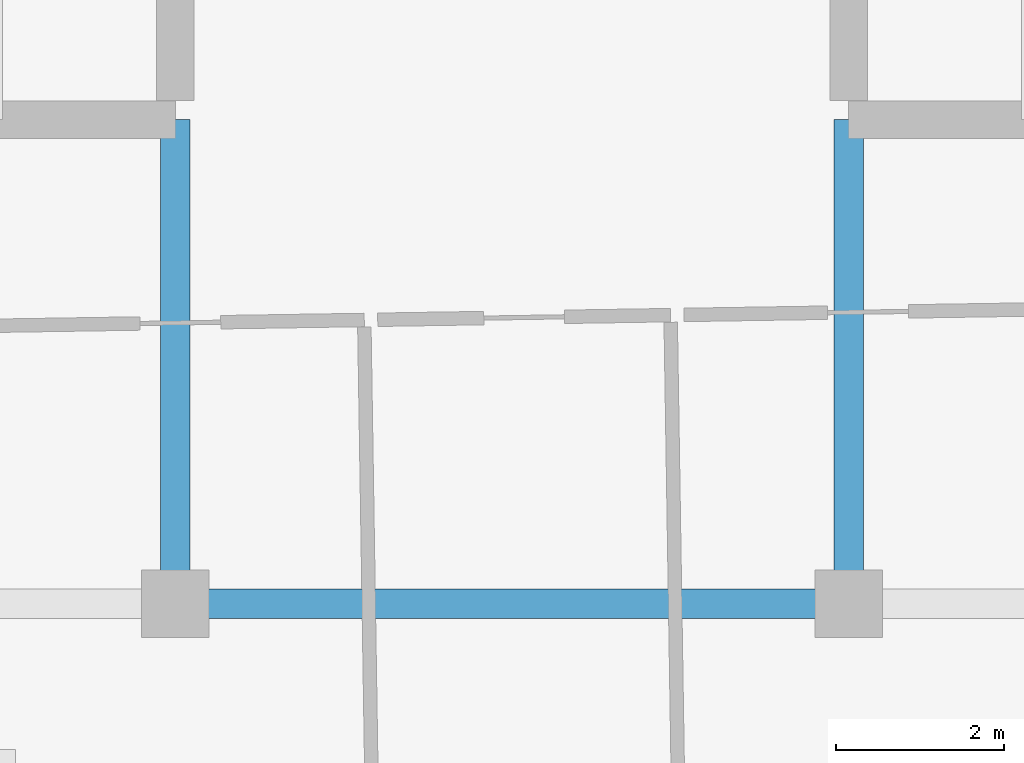
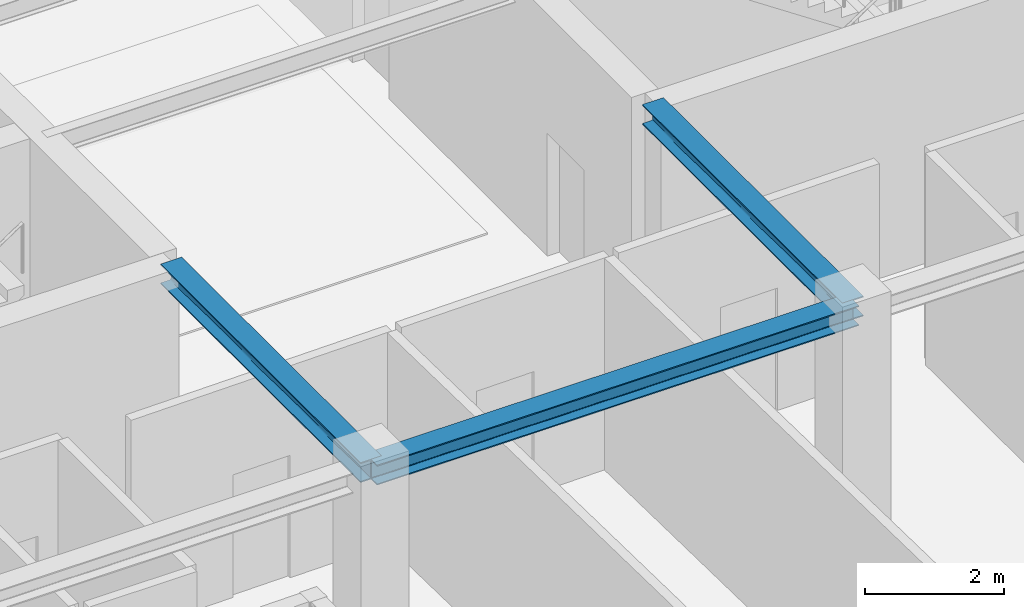
# One storey, part 3 of 18: 3 beams.
"""IFC4 building model written with IfcOpenShell, lengths in metres."""

from ifc_helpers import new_model, si_unit, direction, frame, origin, origin_2d, place, context, subcontext, project, spatial, i_section, extrude, material, material_profile, profile_set, type_object, element, save


model = new_model("IFC4")

# Units and contexts
model_context = context("Model", 3, precision=1e-05, world=origin(), true_north=direction((0.0, 1.0)))
body_context = subcontext(model_context, "Body", "Model", "MODEL_VIEW")
ifc_project = project(units=[si_unit("LENGTHUNIT", "METRE"), si_unit("AREAUNIT", "SQUARE_METRE"), si_unit("VOLUMEUNIT", "CUBIC_METRE"), si_unit("PLANEANGLEUNIT", "RADIAN"), si_unit("MASSUNIT", "GRAM", prefix="KILO")], contexts=[model_context])

# Site, building, storey
site_placement = place(None, origin())
site = spatial("IfcSite", under=ifc_project, at=site_placement, CompositionType="ELEMENT")
building_placement = place(site_placement, origin())
building = spatial("IfcBuilding", under=site, at=building_placement, Name="Qingluan Cross Belvedere", CompositionType="ELEMENT")
storey_placement = place(building_placement, frame((0.0, 0.0, 303.89990234375)))
storey = spatial("IfcBuildingStorey", under=building, at=storey_placement, Name="L75", CompositionType="ELEMENT", Elevation=303.89990234375)

# Beams
ifc_material = material(Name="Steel Q420GJB", Category="steel")
ifc_material_profile = material_profile(ifc_material, i_section(OverallWidth=0.35009765625, OverallDepth=0.35009765625, WebThickness=0.011962890625, FlangeThickness=0.01904296875, FilletRadius=0.02001953125, at=origin_2d()), Name="HW350x350x12x19")
ifc_profile_set = profile_set([ifc_material_profile], Name="Steel Q420GJB")
beam_type = type_object("IfcBeamType", Name="Steel_Girder_HW350x350x12x19", PredefinedType="USERDEFINED", material=ifc_profile_set)
beam_placement = place(storey_placement, frame((-4.0, -12.60009765625, 4.0751953125), z_axis=(1.0, 0.0, 0.0), x_axis=(0.0, 1.0, 0.0)))
element("IfcBeam", 1, at=beam_placement, inside=storey, type_object=beam_type, Name="Hub girder L75-HG-S2", ObjectType="GIRDER", PredefinedType="USERDEFINED", context=body_context, shape_type="SweptSolid", body=[
    extrude(i_section(OverallWidth=0.35009765625, OverallDepth=0.35009765625, WebThickness=0.011962890625, FlangeThickness=0.01904296875, FilletRadius=0.02001953125, at=origin_2d()), origin(), (0.0, 0.0, 1.0), 8.0),
])
for number, where, z_axis, x_axis, name in (
    (2, (-4.0, -12.60009765625, 4.0751953125), (0.0, 1.0, 0.0), (-1.0, 0.0, 0.0), "Hub girder L75-HG-CW"),
    (3, (4.0, -12.60009765625, 4.0751953125), (0.0, 1.0, 0.0), (-1.0, 0.0, 0.0), "Hub girder L75-HG-CE"),
):
    element("IfcBeam", number, at=place(storey_placement, frame(where, z_axis=z_axis, x_axis=x_axis)), inside=storey, type_object=beam_type, Name=name, ObjectType="GIRDER", PredefinedType="USERDEFINED", context=body_context, shape_type="SweptSolid", body=[
        extrude(i_section(OverallWidth=0.35009765625, OverallDepth=0.35009765625, WebThickness=0.011962890625, FlangeThickness=0.01904296875, FilletRadius=0.02001953125, at=origin_2d()), origin(), (0.0, 0.0, 1.0), 5.75),
    ])

save(model, "model.ifc")
